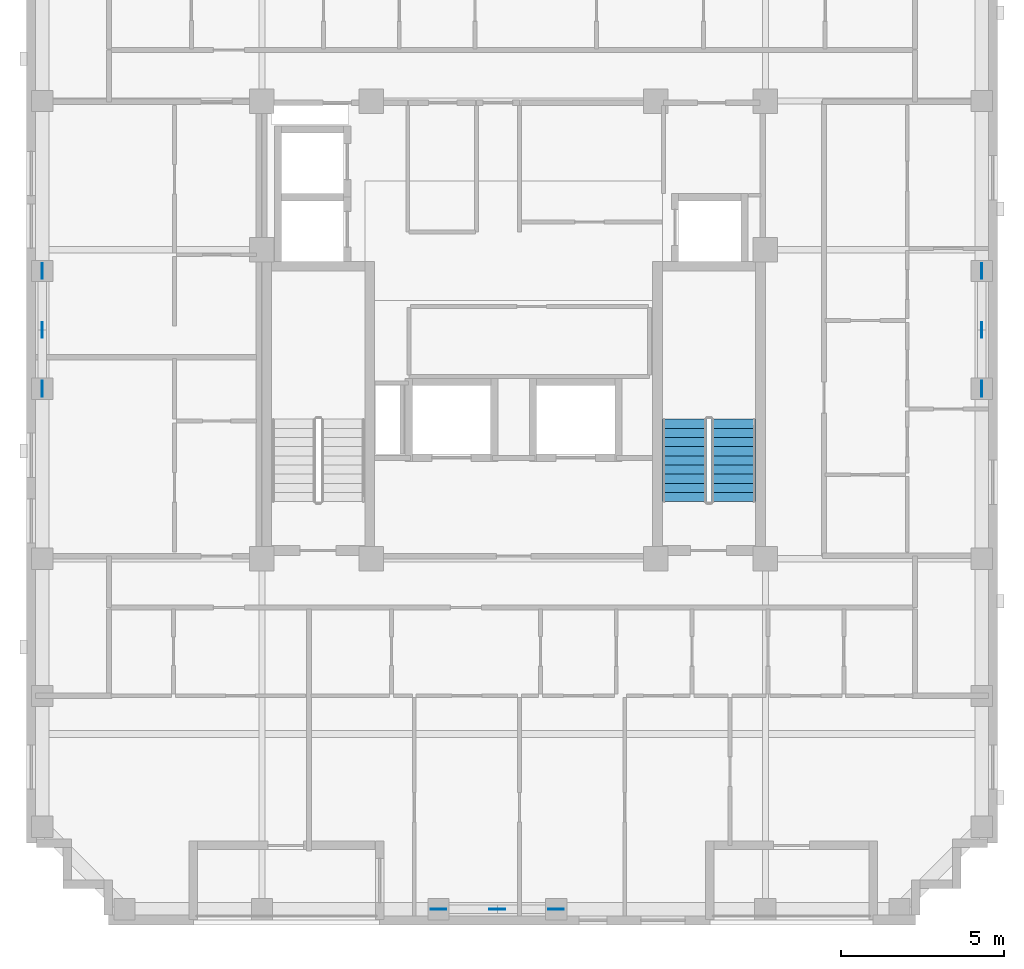
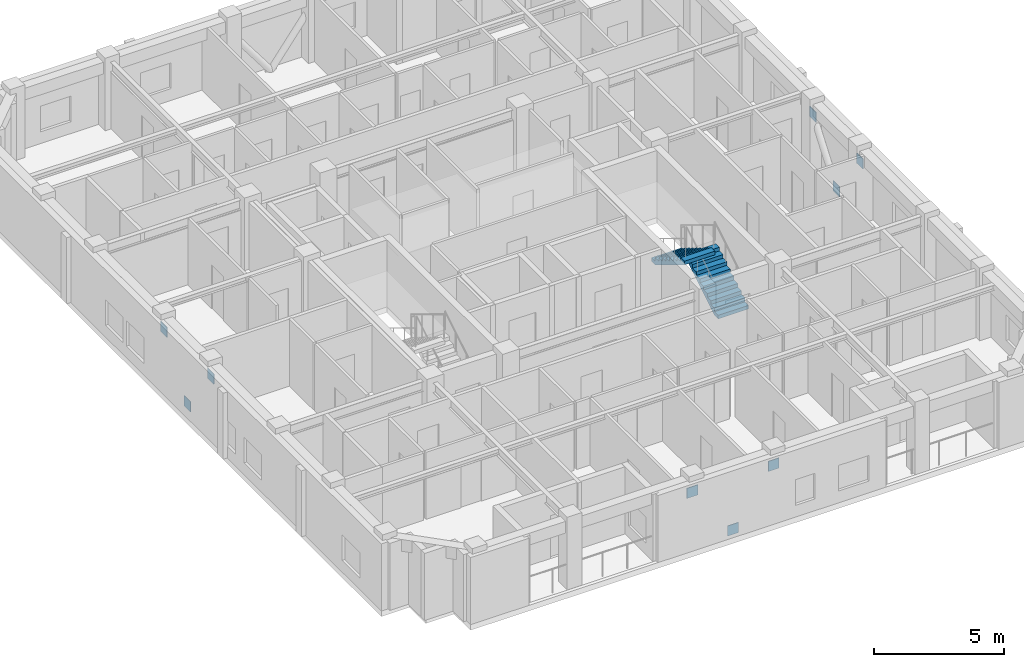
# One storey, part 8 of 11: 9 discrete accessories, 2 stair flights, 1 element without a shape of its own.
"""IFC4 building model written with IfcOpenShell, lengths in metres."""

from ifc_helpers import new_model, si_unit, derived_unit, direction, frame, origin, origin_2d, place, context, subcontext, project, spatial, polyline, rectangle, outline, extrude, material, layer, layer_set, type_object, element, aggregate, save


model = new_model("IFC4")

# Units and contexts
model_context = context("Model", 3, precision=1e-05, world=origin(), true_north=direction((0.0, 1.0)))
body_context = subcontext(model_context, "Body", "Model", "MODEL_VIEW")
ifc_project = project(units=[si_unit("LENGTHUNIT", "METRE"), si_unit("AREAUNIT", "SQUARE_METRE"), si_unit("VOLUMEUNIT", "CUBIC_METRE"), si_unit("PLANEANGLEUNIT", "RADIAN"), si_unit("MASSUNIT", "GRAM", prefix="KILO"), derived_unit("THERMALTRANSMITTANCEUNIT", [(si_unit("MASSUNIT", "GRAM", prefix="KILO"), 1), (si_unit("TIMEUNIT", "SECOND"), -3), (si_unit("THERMODYNAMICTEMPERATUREUNIT", "KELVIN"), -1)])], contexts=[model_context])

# Site, building, storey
site_placement = place(None, origin())
site = spatial("IfcSite", under=ifc_project, at=site_placement, CompositionType="ELEMENT")
building_placement = place(site_placement, origin())
building = spatial("IfcBuilding", under=site, at=building_placement, Name="Korrvale Station Residences", CompositionType="ELEMENT")
storey_placement = place(building_placement, frame((0.0, 0.0, 244.5)))
storey = spatial("IfcBuildingStorey", under=building, at=storey_placement, Name="L71", CompositionType="ELEMENT", Elevation=244.5)

# Stair, stair flights
ifc_material_1 = material(Name="Concrete C50/60", Category="concrete")
stair_type = type_object("IfcStairType", Name="STR-DL-1350-20R-1700", PredefinedType="HALF_TURN_STAIR", material=ifc_material_1)
stair_placement = place(storey_placement, origin())
stair = element("IfcStair", 1, at=stair_placement, inside=storey, type_object=stair_type, Name="L71 Exit Stair 2", PredefinedType="HALF_TURN_STAIR")
stair_flight_type = type_object("IfcStairFlightType", Name="FLT-DL-1350-20R-1700", PredefinedType="STRAIGHT", material=ifc_material_1)
stair_flight_1_placement = place(storey_placement, frame((32.22509765625, 16.75, 0.0), z_axis=(0.0, 0.0, 1.0), x_axis=(0.0, 1.0, 0.0)))
stair_flight_1 = element("IfcStairFlight", 2, at=stair_flight_1_placement, type_object=stair_flight_type, Name="ST-2 flight 1", NumberOfRisers=10, NumberOfTreads=9, PredefinedType="STRAIGHT", RiserHeight=0.17, TreadLength=0.28, context=body_context, shape_type="SweptSolid", body=[
    extrude(outline(polyline([(0.0, 0.0), (0.0, 0.169921875), (0.280029296875, 0.169921875), (0.280029296875, 0.340087890625), (0.56005859375, 0.340087890625), (0.56005859375, 0.510009765625), (0.840087890625, 0.510009765625), (0.840087890625, 0.679931640625), (1.1201171875, 0.679931640625), (1.1201171875, 0.85009765625), (1.39990234375, 0.85009765625), (1.39990234375, 1.02001953125), (1.679931640625, 1.02001953125), (1.679931640625, 1.18994140625), (1.9599609375, 1.18994140625), (1.9599609375, 1.360107421875), (2.239990234375, 1.360107421875), (2.239990234375, 1.530029296875), (2.52001953125, 1.530029296875), (2.52001953125, 1.699951171875), (2.52001953125, 1.354736328125), (0.288818359375, 0.0), (0.0, 0.0)])), frame((0.0, 0.675048828125, 0.0), z_axis=(0.0, -1.0, 0.0), x_axis=(1.0, 0.0, 0.0)), (0.0, 0.0, 1.0), 1.35009765625),
])
stair_flight_2_placement = place(storey_placement, frame((30.72509765625, 19.27001953125, 1.699951171875), z_axis=(0.0, 0.0, 1.0), x_axis=(0.0, -1.0, 0.0)))
stair_flight_2 = element("IfcStairFlight", 3, at=stair_flight_2_placement, type_object=stair_flight_type, Name="ST-2 flight 2", NumberOfRisers=10, NumberOfTreads=9, PredefinedType="STRAIGHT", RiserHeight=0.17, TreadLength=0.28, context=body_context, shape_type="SweptSolid", body=[
    extrude(outline(polyline([(0.0, 0.0), (0.0, 0.169921875), (0.280029296875, 0.169921875), (0.280029296875, 0.340087890625), (0.56005859375, 0.340087890625), (0.56005859375, 0.510009765625), (0.840087890625, 0.510009765625), (0.840087890625, 0.679931640625), (1.1201171875, 0.679931640625), (1.1201171875, 0.85009765625), (1.39990234375, 0.85009765625), (1.39990234375, 1.02001953125), (1.679931640625, 1.02001953125), (1.679931640625, 1.18994140625), (1.9599609375, 1.18994140625), (1.9599609375, 1.360107421875), (2.239990234375, 1.360107421875), (2.239990234375, 1.530029296875), (2.52001953125, 1.530029296875), (2.52001953125, 1.699951171875), (2.52001953125, 1.354736328125), (0.288818359375, 0.0), (0.0, 0.0)])), frame((0.0, 0.675048828125, 0.0), z_axis=(0.0, -1.0, 0.0), x_axis=(1.0, 0.0, 0.0)), (0.0, 0.0, 1.0), 1.35009765625),
])
aggregate(stair, [stair_flight_1, stair_flight_2])

# Discrete accessories
ifc_material_2 = material(Name="Steel S355", Category="steel")
ifc_layer = layer(ifc_material_2, 0.02490234375, Name="Steel S355")
ifc_layer_set = layer_set([ifc_layer], Name="Steel S355")
discrete_accessory_type = type_object("IfcDiscreteAccessoryType", Name="ACC-GUSSET-25", PredefinedType="BRACKET", material=ifc_layer_set)
for number, where, z_axis, x_axis, name in (
    (4, (25.0, 4.280029296875, -0.219970703125), (0.0, 0.0, 1.0), (1.0, 0.0, 0.0), "L71 S Brace End Gusset Connection M"),
    (5, (23.199951171875, 4.280029296875, 2.169921875), (0.0, 0.0, 1.0), (1.0, 0.0, 0.0), "L71 S Brace End Gusset Connection A"),
    (6, (26.800048828125, 4.280029296875, 2.169921875), (0.0, 0.0, 1.0), (1.0, 0.0, 0.0), "L71 S Brace End Gusset Connection B"),
    (7, (11.080078125, 22.0, -0.219970703125), (0.0, 0.0, 1.0), (0.0, 1.0, 0.0), "L71 W Brace End Gusset Connection M"),
    (8, (11.080078125, 20.199951171875, 2.169921875), (0.0, 0.0, 1.0), (0.0, 1.0, 0.0), "L71 W Brace End Gusset Connection A"),
    (9, (11.080078125, 23.800048828125, 2.169921875), (0.0, 0.0, 1.0), (0.0, 1.0, 0.0), "L71 W Brace End Gusset Connection B"),
    (10, (39.820068359375, 22.0, -0.219970703125), (0.0, 0.0, 1.0), (0.0, 1.0, 0.0), "L71 E Brace End Gusset Connection M"),
    (11, (39.820068359375, 20.199951171875, 2.169921875), (0.0, 0.0, 1.0), (0.0, 1.0, 0.0), "L71 E Brace End Gusset Connection A"),
    (12, (39.820068359375, 23.800048828125, 2.169921875), (0.0, 0.0, 1.0), (0.0, 1.0, 0.0), "L71 E Brace End Gusset Connection B"),
):
    element("IfcDiscreteAccessory", number, at=place(storey_placement, frame(where, z_axis=z_axis, x_axis=x_axis)), inside=storey, type_object=discrete_accessory_type, Name=name, PredefinedType="BRACKET", context=body_context, shape_type="SweptSolid", body=[
        extrude(rectangle(XDim=0.47998046875, YDim=0.02490234375, at=origin_2d()), origin(), (0.0, 0.0, 1.0), 0.47998046875),
    ])

save(model, "model.ifc")
